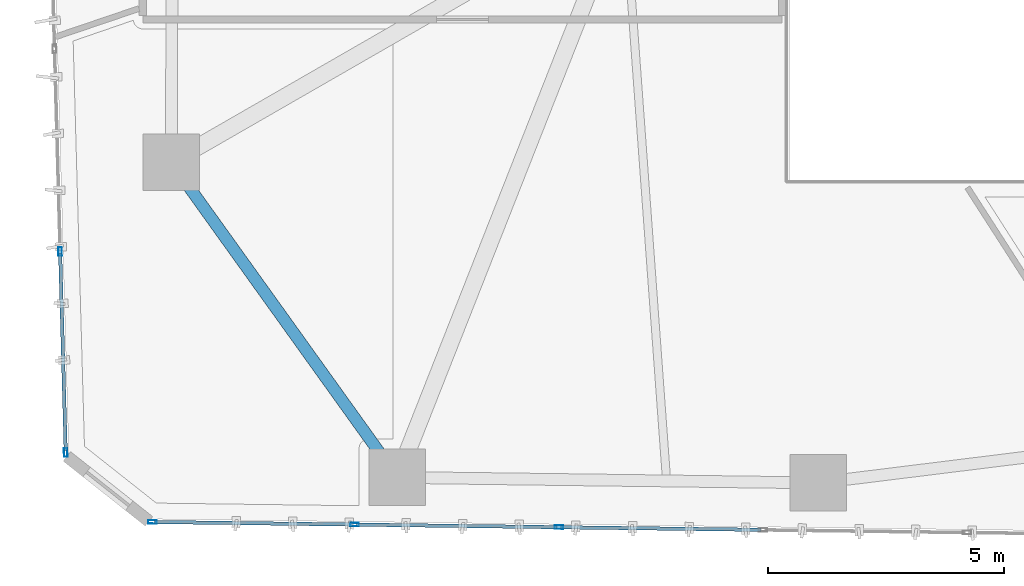
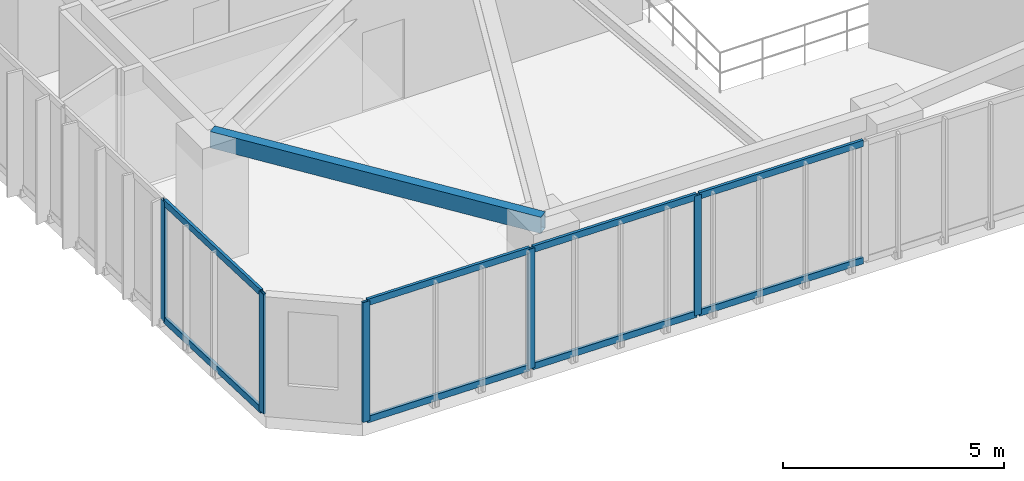
# One storey, part 2 of 22: 13 members, 1 beam, 2 elements without a shape of their own.
"""IFC4 building model written with IfcOpenShell, lengths in metres."""

import ifcopenshell
import ifcopenshell.guid

model = None  # the IFC model being written
_history = None  # IfcOwnerHistory: only IFC2X3 demands one
_inside = {}  # id of a spatial element -> (the spatial element, [elements in it])
_under = {}  # id of a project, library or spatial element -> (it, [spatial elements below it])
_declared = {}  # id of a project -> (the project, [libraries it declares])
_typed = {}  # id of a type object -> (the type object, [elements of that type])
_made_of = {}  # id of a material, layer set ... -> (it, [elements and type objects made of it])


def new_model(schema):
    """Start an empty IFC model of exactly this schema.

    Asked for "IFC4X3", IfcOpenShell would pick the latest addendum, in which some entities
    have other attributes; the version numbers below select the first issue.
    IFC2X3 requires an IfcOwnerHistory on every rooted entity: one is made here for all.
    """
    global model, _history
    if schema == "IFC4X3":
        model = ifcopenshell.file(schema_version=(4, 3, 0, 0))
    else:
        model = ifcopenshell.file(schema=schema)
    _inside.clear()
    _under.clear()
    _declared.clear()
    _typed.clear()
    _made_of.clear()
    _history = None
    if model.schema == "IFC2X3":
        org = make("IfcOrganization", Name="unknown")
        user = make(
            "IfcPersonAndOrganization",
            ThePerson=make("IfcPerson", FamilyName="unknown"),
            TheOrganization=org,
        )
        app = make(
            "IfcApplication",
            ApplicationDeveloper=org,
            Version="unknown",
            ApplicationFullName="unknown",
            ApplicationIdentifier="unknown",
        )
        _history = make(
            "IfcOwnerHistory",
            OwningUser=user,
            OwningApplication=app,
            ChangeAction="ADDED",
            CreationDate=0,
        )
    return model


def make(cls, **values):
    """One entity of the class cls with the attributes given. An attribute that is None is left unset."""
    return model.create_entity(
        cls, **{name: value for name, value in values.items() if value is not None}
    )


def rooted(cls, **values):
    """An entity with a GlobalId (a new one), such as an element, a storey or a relation."""
    return make(cls, GlobalId=ifcopenshell.guid.new(), OwnerHistory=_history, **values)


def si_unit(unit_type, name, prefix=None):
    """IfcSIUnit, for example si_unit("LENGTHUNIT", "METRE", prefix="MILLI")."""
    return make("IfcSIUnit", UnitType=unit_type, Prefix=prefix, Name=name)


def assignment(units):
    """IfcUnitAssignment: the units of a project."""
    return None if units is None else make("IfcUnitAssignment", Units=units)


def point(xyz):
    """IfcCartesianPoint."""
    return None if xyz is None else make("IfcCartesianPoint", Coordinates=xyz)


def direction(xyz):
    """IfcDirection."""
    return None if xyz is None else make("IfcDirection", DirectionRatios=xyz)


def frame(location, z_axis=None, x_axis=None):
    """IfcAxis2Placement3D, a coordinate frame: its origin and axes. An axis left out is left unset."""
    return make(
        "IfcAxis2Placement3D",
        Location=point(location),
        Axis=direction(z_axis),
        RefDirection=direction(x_axis),
    )


def frame_2d(location, x_axis=None):
    """IfcAxis2Placement2D, a coordinate frame in the plane: its origin and x axis."""
    return make(
        "IfcAxis2Placement2D", Location=point(location), RefDirection=direction(x_axis)
    )


def origin():
    """The frame at (0, 0, 0) with its axes left unset."""
    return frame((0.0, 0.0, 0.0))


def origin_2d():
    """The frame at (0, 0) in the plane with its x axis left unset."""
    return frame_2d((0.0, 0.0))


def place(relative_to, where):
    """IfcLocalPlacement: puts the frame where relative to a parent placement (None: the world)."""
    return make(
        "IfcLocalPlacement", PlacementRelTo=relative_to, RelativePlacement=where
    )


def context(
    kind, dimensions, precision=None, world=None, true_north=None, identifier=None
):
    """IfcGeometricRepresentationContext, for example the 3D "Model" context."""
    return make(
        "IfcGeometricRepresentationContext",
        ContextIdentifier=identifier,
        ContextType=kind,
        CoordinateSpaceDimension=dimensions,
        Precision=precision,
        WorldCoordinateSystem=world,
        TrueNorth=true_north,
    )


def subcontext(parent, identifier, kind, view, scale=None):
    """IfcGeometricRepresentationSubContext, for example "Body" below "Model"."""
    return make(
        "IfcGeometricRepresentationSubContext",
        ContextIdentifier=identifier,
        ContextType=kind,
        ParentContext=parent,
        TargetScale=scale,
        TargetView=view,
    )


def project(units=None, contexts=None):
    """IfcProject with its units and contexts."""
    return rooted(
        "IfcProject",
        Name="project",
        RepresentationContexts=contexts,
        UnitsInContext=assignment(units),
    )


def spatial(cls, under=None, at=None, **own):
    """A site, building, storey or space (cls), placed at a placement, below another one or the project."""
    s = rooted(cls, ObjectPlacement=at, **own)
    if under is not None:
        _under.setdefault(under.id(), (under, []))[1].append(s)
    return s


def profile(cls, at=None, kind="AREA", **sizes):
    """A parametric profile (cls). Its sizes go by their IFC names, for example OverallWidth=200.0."""
    return make(cls, ProfileType=kind, Position=at, **sizes)


def hollow_rectangle(**sizes):
    """IfcRectangleHollowProfileDef."""
    return profile("IfcRectangleHollowProfileDef", **sizes)


def extrude(swept, where, along, depth):
    """IfcExtrudedAreaSolid: the profile swept, set in the frame where, extruded along a direction by depth."""
    return make(
        "IfcExtrudedAreaSolid",
        SweptArea=swept,
        Position=where,
        ExtrudedDirection=direction(along),
        Depth=depth,
    )


def shape(context_of_items, identifier, shape_type, items):
    """IfcShapeRepresentation: the items that make up one representation, for example the "Body"."""
    return make(
        "IfcShapeRepresentation",
        ContextOfItems=context_of_items,
        RepresentationIdentifier=identifier,
        RepresentationType=shape_type,
        Items=items,
    )


def source(mapping_origin, context_of_items, identifier, shape_type, items):
    """IfcRepresentationMap: a shape defined once, which mapped items show again and again."""
    return make(
        "IfcRepresentationMap",
        MappingOrigin=mapping_origin,
        MappedRepresentation=shape(context_of_items, identifier, shape_type, items),
    )


def transform(
    local_origin,
    x_axis=None,
    y_axis=None,
    z_axis=None,
    scale=None,
    scale2=None,
    scale3=None,
    uniform=True,
):
    """IfcCartesianTransformationOperator3D, or its non-uniform kind. x_axis, y_axis, z_axis: its Axis1, 2, 3."""
    if uniform:
        return make(
            "IfcCartesianTransformationOperator3D",
            Axis1=direction(x_axis),
            Axis2=direction(y_axis),
            LocalOrigin=point(local_origin),
            Scale=scale,
            Axis3=direction(z_axis),
        )
    return make(
        "IfcCartesianTransformationOperator3DnonUniform",
        Axis1=direction(x_axis),
        Axis2=direction(y_axis),
        LocalOrigin=point(local_origin),
        Scale=scale,
        Axis3=direction(z_axis),
        Scale2=scale2,
        Scale3=scale3,
    )


def mapped(mapping_source, mapping_target):
    """IfcMappedItem: shows the shape of a source again, moved by a transform."""
    return make(
        "IfcMappedItem", MappingSource=mapping_source, MappingTarget=mapping_target
    )


def material(Name=None, Category=None):
    """IfcMaterial."""
    return make("IfcMaterial", Name=Name, Category=Category)


def layer(
    of_material, thickness, ventilated=None, Name=None, Category=None, Priority=None
):
    """IfcMaterialLayer: one layer of a wall or slab, of a material (None: an air gap)."""
    return make(
        "IfcMaterialLayer",
        Material=of_material,
        LayerThickness=thickness,
        IsVentilated=ventilated,
        Name=Name,
        Category=Category,
        Priority=Priority,
    )


def layer_set(layers, Name=None):
    """IfcMaterialLayerSet."""
    return make("IfcMaterialLayerSet", MaterialLayers=layers, LayerSetName=Name)


def material_profile(
    of_material, cross_section, Name=None, Category=None, Priority=None
):
    """IfcMaterialProfile: a cross section and its material."""
    return make(
        "IfcMaterialProfile",
        Name=Name,
        Material=of_material,
        Profile=cross_section,
        Priority=Priority,
        Category=Category,
    )


def profile_set(profiles, Name=None, composite=None):
    """IfcMaterialProfileSet."""
    return make(
        "IfcMaterialProfileSet",
        Name=Name,
        MaterialProfiles=profiles,
        CompositeProfile=composite,
    )


def made_of(thing, what):
    """Note that an element or type object is made of a material, layer set ...; save() writes the relation."""
    if what is not None:
        _made_of.setdefault(what.id(), (what, []))[1].append(thing)
    return thing


def type_object(cls, material=None, **own):
    """A type object (cls), such as IfcWallType, which elements share."""
    return made_of(rooted(cls, **own), material)


def type_shapes(of_type, sources):
    """Give a type object the sources (RepresentationMaps) that its elements show as mapped items."""
    of_type.RepresentationMaps = sources


def element(
    cls,
    number,
    at=None,
    inside=None,
    cuts=None,
    type_object=None,
    material=None,
    context=None,
    identifier="Body",
    shape_type=None,
    held_by="IfcProductDefinitionShape",
    body=None,
    shapes=None,
    **own,
):
    """One element of the class cls, such as IfcWall. Its Tag is "e" and its number.

    at: its placement. inside: the storey or other place that contains it. cuts: it is an
    opening in that element (IfcRelVoidsElement). A single representation is given by context,
    identifier, shape_type and body (its items); several are given by shapes. held_by: the class
    of the entity that holds the representations. save() writes the other relations.
    """
    e = rooted(cls, Tag="e%d" % number, ObjectPlacement=at, **own)
    if body is not None:
        shapes = [shape(context, identifier, shape_type, body)]
    if shapes is not None:
        e.Representation = make(held_by, Representations=shapes)
    if inside is not None:
        _inside.setdefault(inside.id(), (inside, []))[1].append(e)
    if cuts is not None:
        rooted(
            "IfcRelVoidsElement", RelatingBuildingElement=cuts, RelatedOpeningElement=e
        )
    if type_object is not None:
        _typed.setdefault(type_object.id(), (type_object, []))[1].append(e)
    return made_of(e, material)


def aggregate(whole, parts):
    """IfcRelAggregates: a whole, such as a stair, and the parts it consists of."""
    return rooted("IfcRelAggregates", RelatingObject=whole, RelatedObjects=parts)


def save(model, path):
    """Write the relations noted so far, then the file.

    IfcRelAggregates (storeys below a building ...), IfcRelContainedInSpatialStructure (elements
    in a storey), IfcRelDefinesByType, IfcRelAssociatesMaterial and IfcRelDeclares: one each for
    every whole, place, type object, material and project.
    """
    for whole, parts in _under.values():
        aggregate(whole, parts)
    for where, things in _inside.values():
        rooted(
            "IfcRelContainedInSpatialStructure",
            RelatedElements=things,
            RelatingStructure=where,
        )
    for kind, things in _typed.values():
        rooted("IfcRelDefinesByType", RelatedObjects=things, RelatingType=kind)
    for what, things in _made_of.values():
        rooted("IfcRelAssociatesMaterial", RelatedObjects=things, RelatingMaterial=what)
    for by, libraries in _declared.values():
        rooted("IfcRelDeclares", RelatingContext=by, RelatedDefinitions=libraries)
    model.write(path)


model = new_model("IFC4")

# Units and contexts
model_context = context("Model", 3, precision=1e-05, world=origin(), true_north=direction((0.0, 1.0)))
body_context = subcontext(model_context, "Body", "Model", "MODEL_VIEW")
ifc_project = project(units=[si_unit("LENGTHUNIT", "METRE"), si_unit("AREAUNIT", "SQUARE_METRE"), si_unit("VOLUMEUNIT", "CUBIC_METRE"), si_unit("PLANEANGLEUNIT", "RADIAN"), si_unit("MASSUNIT", "GRAM", prefix="KILO")], contexts=[model_context])

# Site, building, storey
site_placement = place(None, origin())
site = spatial("IfcSite", under=ifc_project, at=site_placement, CompositionType="ELEMENT")
building_placement = place(site_placement, origin())
building = spatial("IfcBuilding", under=site, at=building_placement, Name="Talar Marvaseh", CompositionType="ELEMENT")
storey_placement = place(building_placement, frame((0.0, 0.0, 89.39990234375)))
storey = spatial("IfcBuildingStorey", under=building, at=storey_placement, Name="L22", CompositionType="ELEMENT", Elevation=89.39990234375)

# Beam
ifc_material_1 = material(Name="Steel S355", Category="steel")
ifc_material_profile_1 = material_profile(ifc_material_1, hollow_rectangle(XDim=0.25, YDim=0.449951171875, WallThickness=0.01611328125, at=origin_2d()), Name="RHS450x250x16")
ifc_profile_set_1 = profile_set([ifc_material_profile_1], Name="Steel S355")
beam_type = type_object("IfcBeamType", Name="Zone 2 Perimeter Spandrel Beam RHS450x250x16", PredefinedType="SPANDREL", material=ifc_profile_set_1)
beam_placement = place(storey_placement, frame((13.89111328125, 13.299072265625, 3.085205078125), z_axis=(-0.582852871994, 0.812577706812, 0.0), x_axis=(-0.812577706812, -0.582852871994, 0.0)))
element("IfcBeam", 1, at=beam_placement, inside=storey, type_object=beam_type, Name="L22 Zone 2 Perimeter Spandrel Beam RHS450x250x16", PredefinedType="SPANDREL", context=body_context, shape_type="SweptSolid", body=[
    extrude(hollow_rectangle(XDim=0.25, YDim=0.449951171875, WallThickness=0.01611328125, at=origin_2d()), origin(), (0.0, 0.0, 1.0), 8.21826171875),
])

# Curtain wall, members
ifc_material_2 = material(Name="Architectural Aluminium", Category="aluminium")
ifc_layer = layer(ifc_material_2, 0.199951171875)
ifc_layer_set = layer_set([ifc_layer], Name="Architectural Aluminium")
curtain_wall_type = type_object("IfcCurtainWallType", Name="Unitised Acoustic Library Curtain Wall Z2", PredefinedType="NOTDEFINED", material=ifc_layer_set)
curtain_wall_1_placement = place(storey_placement, origin())
curtain_wall_1 = element("IfcCurtainWall", 2, at=curtain_wall_1_placement, inside=storey, type_object=curtain_wall_type, Name="L22 Unitised Acoustic Library Curtain Wall Z2", PredefinedType="NOTDEFINED")
ifc_material_profile_2 = material_profile(ifc_material_2, hollow_rectangle(XDim=0.074951171875, YDim=0.179931640625, WallThickness=0.0048828125, at=origin_2d()), Name="RHS180x75x5")
ifc_profile_set_2 = profile_set([ifc_material_profile_2], Name="Architectural Aluminium")
member_type_1 = type_object("IfcMemberType", Name="Unitised Curtain Wall Standard Mullion RHS180x75x5", PredefinedType="MULLION", material=ifc_profile_set_2)
shared_shape_1 = source(origin(), body_context, "Body", "SweptSolid", [
    extrude(hollow_rectangle(XDim=0.074951171875, YDim=0.179931640625, WallThickness=0.0048828125, at=origin_2d()), origin(), (0.0, 0.0, 1.0), 3.31005859375),
])
type_shapes(member_type_1, [shared_shape_1])
member_1_placement = place(storey_placement, frame((6.865966796875, 13.82666015625, 0.0), z_axis=(0.0, 0.0, 1.0), x_axis=(-0.999611927565, -0.027856673719, 0.0)))
member_1 = element("IfcMember", 3, at=member_1_placement, type_object=member_type_1, Name="CW-Z2 mullion 1", PredefinedType="MULLION", context=body_context, shape_type="MappedRepresentation", body=[
    mapped(shared_shape_1, transform((0.0, 0.0, 0.0), x_axis=(1.0, 0.0, 0.0), y_axis=(0.0, 1.0, 0.0), z_axis=(0.0, 0.0, 1.0), scale=1.0)),
])
member_2_placement = place(storey_placement, frame((6.747314453125, 18.08544921875, 0.0), z_axis=(0.0, 0.0, 1.0), x_axis=(-0.999611927565, -0.027856673719, 0.0)))
member_2 = element("IfcMember", 4, at=member_2_placement, type_object=member_type_1, Name="CW-Z2 mullion 2", PredefinedType="MULLION", context=body_context, shape_type="MappedRepresentation", body=[
    mapped(shared_shape_1, transform((0.0, 0.0, 0.0), x_axis=(1.0, 0.0, 0.0), y_axis=(0.0, 1.0, 0.0), z_axis=(0.0, 0.0, 1.0), scale=1.0)),
])

curtain_wall_2_placement = place(storey_placement, origin())
curtain_wall_2 = element("IfcCurtainWall", 5, at=curtain_wall_2_placement, inside=storey, type_object=curtain_wall_type, Name="L22 Unitised Acoustic Library Curtain Wall Z2", PredefinedType="NOTDEFINED")
member_3_placement = place(storey_placement, frame((17.3115234375, 12.244384765625, 0.0), z_axis=(0.0, 0.0, 1.0), x_axis=(-0.01293384095, -0.999916354381, 0.0)))
member_3 = element("IfcMember", 6, at=member_3_placement, type_object=member_type_1, Name="CW-Z2 mullion 4", PredefinedType="MULLION", context=body_context, shape_type="MappedRepresentation", body=[
    mapped(shared_shape_1, transform((0.0, 0.0, 0.0), x_axis=(1.0, 0.0, 0.0), y_axis=(0.0, 1.0, 0.0), z_axis=(0.0, 0.0, 1.0), scale=1.0)),
])
member_4_placement = place(storey_placement, frame((12.98828125, 12.30029296875, 0.0), z_axis=(0.0, 0.0, 1.0), x_axis=(-0.01293384095, -0.999916354381, 0.0)))
member_4 = element("IfcMember", 7, at=member_4_placement, type_object=member_type_1, Name="CW-Z2 mullion 5", PredefinedType="MULLION", context=body_context, shape_type="MappedRepresentation", body=[
    mapped(shared_shape_1, transform((0.0, 0.0, 0.0), x_axis=(1.0, 0.0, 0.0), y_axis=(0.0, 1.0, 0.0), z_axis=(0.0, 0.0, 1.0), scale=1.0)),
])
member_5_placement = place(storey_placement, frame((8.70263671875, 12.355712890625, 0.0), z_axis=(0.0, 0.0, 1.0), x_axis=(-0.01293384095, -0.999916354381, 0.0)))
member_5 = element("IfcMember", 8, at=member_5_placement, type_object=member_type_1, Name="CW-Z2 mullion 6", PredefinedType="MULLION", context=body_context, shape_type="MappedRepresentation", body=[
    mapped(shared_shape_1, transform((0.0, 0.0, 0.0), x_axis=(1.0, 0.0, 0.0), y_axis=(0.0, 1.0, 0.0), z_axis=(0.0, 0.0, 1.0), scale=1.0)),
])

# Member
ifc_material_profile_3 = material_profile(ifc_material_2, hollow_rectangle(XDim=0.074951171875, YDim=0.179931640625, WallThickness=0.0048828125, at=origin_2d()), Name="RHS180x75x5")
ifc_profile_set_3 = profile_set([ifc_material_profile_3], Name="Architectural Aluminium")
member_type_2 = type_object("IfcMemberType", Name="Unitised Curtain Wall Transom RHS180x75x5", PredefinedType="USERDEFINED", material=ifc_profile_set_3)
shared_shape_2 = source(origin(), body_context, "Body", "SweptSolid", [
    extrude(hollow_rectangle(XDim=0.074951171875, YDim=0.179931640625, WallThickness=0.0048828125, at=origin_2d()), origin(), (0.0, 0.0, 1.0), 4.185302734375),
])
member_6_placement = place(storey_placement, frame((6.864990234375, 13.8642578125, 0.03759765625), z_axis=(-0.02788364507, 0.999611175577, 0.0), x_axis=(-0.999611175577, -0.02788364507, 0.0)))
member_6 = element("IfcMember", 9, at=member_6_placement, type_object=member_type_2, Name="CW-Z2 transom 1.1", ObjectType="TRANSOM", PredefinedType="USERDEFINED", context=body_context, shape_type="MappedRepresentation", body=[
    mapped(shared_shape_2, transform((0.0, 0.0, 0.0), x_axis=(1.0, 0.0, 0.0), y_axis=(0.0, 1.0, 0.0), z_axis=(0.0, 0.0, 1.0), scale=1.0)),
])

member_7_placement = place(storey_placement, frame((6.864990234375, 13.8642578125, 3.272705078125), z_axis=(-0.02788364507, 0.999611175577, 0.0), x_axis=(-0.999611175577, -0.02788364507, 0.0)))
member_7 = element("IfcMember", 10, at=member_7_placement, type_object=member_type_2, Name="CW-Z2 transom 1.2", ObjectType="TRANSOM", PredefinedType="USERDEFINED", context=body_context, shape_type="MappedRepresentation", body=[
    mapped(shared_shape_2, transform((0.0, 0.0, 0.0), x_axis=(1.0, 0.0, 0.0), y_axis=(0.0, 1.0, 0.0), z_axis=(0.0, 0.0, 1.0), scale=1.0)),
])

aggregate(curtain_wall_1, [member_1, member_2, member_6, member_7])

shared_shape_3 = source(origin(), body_context, "Body", "SweptSolid", [
    extrude(hollow_rectangle(XDim=0.074951171875, YDim=0.179931640625, WallThickness=0.0048828125, at=origin_2d()), origin(), (0.0, 0.0, 1.0), 4.24853515625),
])
member_8_placement = place(storey_placement, frame((21.59716796875, 12.18896484375, 0.03759765625), z_axis=(-0.999916414264, 0.012929210575, 0.0), x_axis=(-0.012929210575, -0.999916414264, 0.0)))
member_8 = element("IfcMember", 11, at=member_8_placement, type_object=member_type_2, Name="CW-Z2 transom 3.1", ObjectType="TRANSOM", PredefinedType="USERDEFINED", context=body_context, shape_type="MappedRepresentation", body=[
    mapped(shared_shape_3, transform((0.0, 0.0, 0.0), x_axis=(1.0, 0.0, 0.0), y_axis=(0.0, 1.0, 0.0), z_axis=(0.0, 0.0, 1.0), scale=1.0)),
])

member_9_placement = place(storey_placement, frame((21.59716796875, 12.18896484375, 3.272705078125), z_axis=(-0.999916414264, 0.012929210575, 0.0), x_axis=(-0.012929210575, -0.999916414264, 0.0)))
member_9 = element("IfcMember", 12, at=member_9_placement, type_object=member_type_2, Name="CW-Z2 transom 3.2", ObjectType="TRANSOM", PredefinedType="USERDEFINED", context=body_context, shape_type="MappedRepresentation", body=[
    mapped(shared_shape_3, transform((0.0, 0.0, 0.0), x_axis=(1.0, 0.0, 0.0), y_axis=(0.0, 1.0, 0.0), z_axis=(0.0, 0.0, 1.0), scale=1.0)),
])

shared_shape_4 = source(origin(), body_context, "Body", "SweptSolid", [
    extrude(hollow_rectangle(XDim=0.074951171875, YDim=0.179931640625, WallThickness=0.0048828125, at=origin_2d()), origin(), (0.0, 0.0, 1.0), 4.2109375),
])
member_10_placement = place(storey_placement, frame((12.95068359375, 12.30078125, 0.03759765625), z_axis=(-0.999916420811, 0.012928704229, 0.0), x_axis=(-0.012928704229, -0.999916420811, 0.0)))
member_10 = element("IfcMember", 13, at=member_10_placement, type_object=member_type_2, Name="CW-Z2 transom 5.1", ObjectType="TRANSOM", PredefinedType="USERDEFINED", context=body_context, shape_type="MappedRepresentation", body=[
    mapped(shared_shape_4, transform((0.0, 0.0, 0.0), x_axis=(1.0, 0.0, 0.0), y_axis=(0.0, 1.0, 0.0), z_axis=(0.0, 0.0, 1.0), scale=1.0)),
])

member_11_placement = place(storey_placement, frame((12.95068359375, 12.30078125, 3.272705078125), z_axis=(-0.999916420811, 0.012928704229, 0.0), x_axis=(-0.012928704229, -0.999916420811, 0.0)))
member_11 = element("IfcMember", 14, at=member_11_placement, type_object=member_type_2, Name="CW-Z2 transom 5.2", ObjectType="TRANSOM", PredefinedType="USERDEFINED", context=body_context, shape_type="MappedRepresentation", body=[
    mapped(shared_shape_4, transform((0.0, 0.0, 0.0), x_axis=(1.0, 0.0, 0.0), y_axis=(0.0, 1.0, 0.0), z_axis=(0.0, 0.0, 1.0), scale=1.0)),
])

shared_shape_5 = source(origin(), body_context, "Body", "SweptSolid", [
    extrude(hollow_rectangle(XDim=0.074951171875, YDim=0.179931640625, WallThickness=0.0048828125, at=origin_2d()), origin(), (0.0, 0.0, 1.0), 4.248291015625),
])
type_shapes(member_type_2, [shared_shape_2, shared_shape_3, shared_shape_4, shared_shape_5])
member_12_placement = place(storey_placement, frame((17.27392578125, 12.244873046875, 0.03759765625), z_axis=(-0.999916404657, 0.012929953508, 0.0), x_axis=(-0.012929953508, -0.999916404657, 0.0)))
member_12 = element("IfcMember", 15, at=member_12_placement, type_object=member_type_2, Name="CW-Z2 transom 4.1", ObjectType="TRANSOM", PredefinedType="USERDEFINED", context=body_context, shape_type="MappedRepresentation", body=[
    mapped(shared_shape_5, transform((0.0, 0.0, 0.0), x_axis=(1.0, 0.0, 0.0), y_axis=(0.0, 1.0, 0.0), z_axis=(0.0, 0.0, 1.0), scale=1.0)),
])

member_13_placement = place(storey_placement, frame((17.27392578125, 12.244873046875, 3.272705078125), z_axis=(-0.999916404657, 0.012929953508, 0.0), x_axis=(-0.012929953508, -0.999916404657, 0.0)))
member_13 = element("IfcMember", 16, at=member_13_placement, type_object=member_type_2, Name="CW-Z2 transom 4.2", ObjectType="TRANSOM", PredefinedType="USERDEFINED", context=body_context, shape_type="MappedRepresentation", body=[
    mapped(shared_shape_5, transform((0.0, 0.0, 0.0), x_axis=(1.0, 0.0, 0.0), y_axis=(0.0, 1.0, 0.0), z_axis=(0.0, 0.0, 1.0), scale=1.0)),
])

aggregate(curtain_wall_2, [member_3, member_4, member_5, member_8, member_9, member_12, member_13, member_10, member_11])

save(model, "model.ifc")
